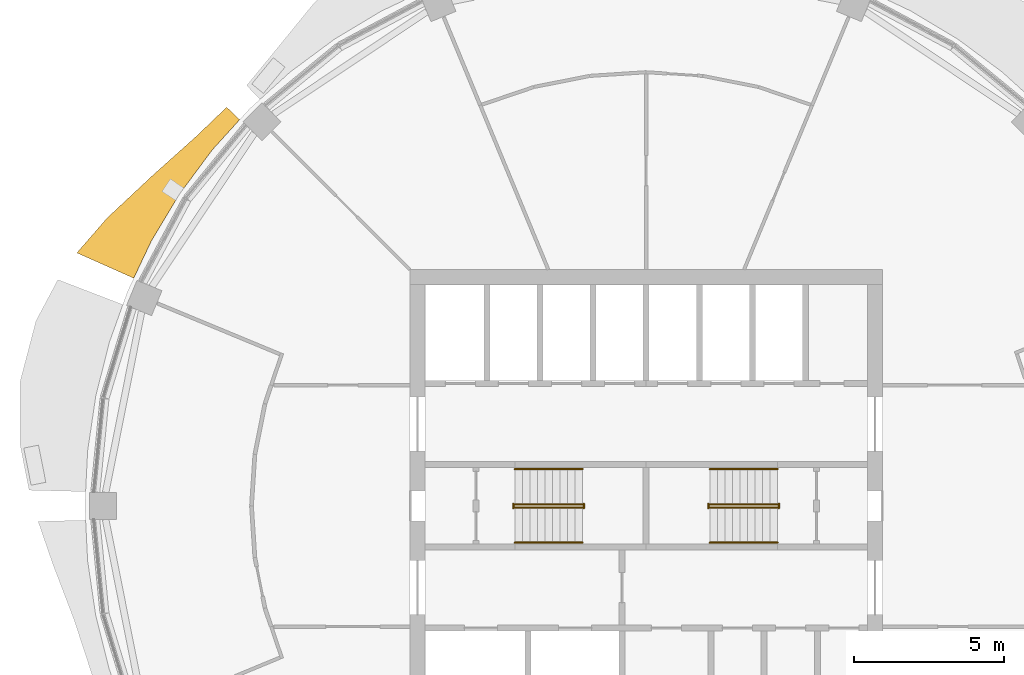
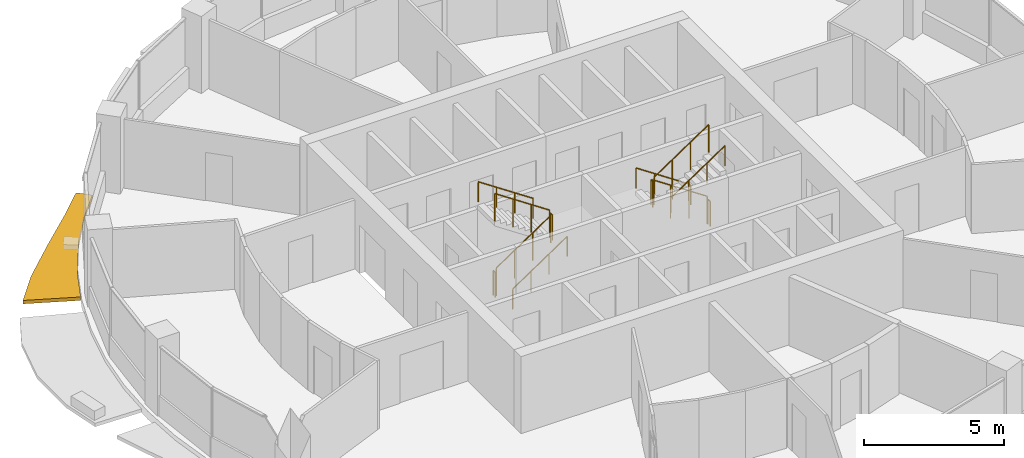
# One storey, part 13 of 15: 12 railings, 1 shading device.
"""IFC4 building model written with IfcOpenShell, lengths in metres."""

import ifcopenshell
import ifcopenshell.guid

model = None  # the IFC model being written
_history = None  # IfcOwnerHistory: only IFC2X3 demands one
_inside = {}  # id of a spatial element -> (the spatial element, [elements in it])
_under = {}  # id of a project, library or spatial element -> (it, [spatial elements below it])
_declared = {}  # id of a project -> (the project, [libraries it declares])
_typed = {}  # id of a type object -> (the type object, [elements of that type])
_made_of = {}  # id of a material, layer set ... -> (it, [elements and type objects made of it])


def new_model(schema):
    """Start an empty IFC model of exactly this schema.

    Asked for "IFC4X3", IfcOpenShell would pick the latest addendum, in which some entities
    have other attributes; the version numbers below select the first issue.
    IFC2X3 requires an IfcOwnerHistory on every rooted entity: one is made here for all.
    """
    global model, _history
    if schema == "IFC4X3":
        model = ifcopenshell.file(schema_version=(4, 3, 0, 0))
    else:
        model = ifcopenshell.file(schema=schema)
    _inside.clear()
    _under.clear()
    _declared.clear()
    _typed.clear()
    _made_of.clear()
    _history = None
    if model.schema == "IFC2X3":
        org = make("IfcOrganization", Name="unknown")
        user = make(
            "IfcPersonAndOrganization",
            ThePerson=make("IfcPerson", FamilyName="unknown"),
            TheOrganization=org,
        )
        app = make(
            "IfcApplication",
            ApplicationDeveloper=org,
            Version="unknown",
            ApplicationFullName="unknown",
            ApplicationIdentifier="unknown",
        )
        _history = make(
            "IfcOwnerHistory",
            OwningUser=user,
            OwningApplication=app,
            ChangeAction="ADDED",
            CreationDate=0,
        )
    return model


def make(cls, **values):
    """One entity of the class cls with the attributes given. An attribute that is None is left unset."""
    return model.create_entity(
        cls, **{name: value for name, value in values.items() if value is not None}
    )


def rooted(cls, **values):
    """An entity with a GlobalId (a new one), such as an element, a storey or a relation."""
    return make(cls, GlobalId=ifcopenshell.guid.new(), OwnerHistory=_history, **values)


def si_unit(unit_type, name, prefix=None):
    """IfcSIUnit, for example si_unit("LENGTHUNIT", "METRE", prefix="MILLI")."""
    return make("IfcSIUnit", UnitType=unit_type, Prefix=prefix, Name=name)


def assignment(units):
    """IfcUnitAssignment: the units of a project."""
    return None if units is None else make("IfcUnitAssignment", Units=units)


def point(xyz):
    """IfcCartesianPoint."""
    return None if xyz is None else make("IfcCartesianPoint", Coordinates=xyz)


def direction(xyz):
    """IfcDirection."""
    return None if xyz is None else make("IfcDirection", DirectionRatios=xyz)


def frame(location, z_axis=None, x_axis=None):
    """IfcAxis2Placement3D, a coordinate frame: its origin and axes. An axis left out is left unset."""
    return make(
        "IfcAxis2Placement3D",
        Location=point(location),
        Axis=direction(z_axis),
        RefDirection=direction(x_axis),
    )


def frame_2d(location, x_axis=None):
    """IfcAxis2Placement2D, a coordinate frame in the plane: its origin and x axis."""
    return make(
        "IfcAxis2Placement2D", Location=point(location), RefDirection=direction(x_axis)
    )


def origin():
    """The frame at (0, 0, 0) with its axes left unset."""
    return frame((0.0, 0.0, 0.0))


def origin_2d():
    """The frame at (0, 0) in the plane with its x axis left unset."""
    return frame_2d((0.0, 0.0))


def place(relative_to, where):
    """IfcLocalPlacement: puts the frame where relative to a parent placement (None: the world)."""
    return make(
        "IfcLocalPlacement", PlacementRelTo=relative_to, RelativePlacement=where
    )


def context(
    kind, dimensions, precision=None, world=None, true_north=None, identifier=None
):
    """IfcGeometricRepresentationContext, for example the 3D "Model" context."""
    return make(
        "IfcGeometricRepresentationContext",
        ContextIdentifier=identifier,
        ContextType=kind,
        CoordinateSpaceDimension=dimensions,
        Precision=precision,
        WorldCoordinateSystem=world,
        TrueNorth=true_north,
    )


def subcontext(parent, identifier, kind, view, scale=None):
    """IfcGeometricRepresentationSubContext, for example "Body" below "Model"."""
    return make(
        "IfcGeometricRepresentationSubContext",
        ContextIdentifier=identifier,
        ContextType=kind,
        ParentContext=parent,
        TargetScale=scale,
        TargetView=view,
    )


def project(units=None, contexts=None):
    """IfcProject with its units and contexts."""
    return rooted(
        "IfcProject",
        Name="project",
        RepresentationContexts=contexts,
        UnitsInContext=assignment(units),
    )


def spatial(cls, under=None, at=None, **own):
    """A site, building, storey or space (cls), placed at a placement, below another one or the project."""
    s = rooted(cls, ObjectPlacement=at, **own)
    if under is not None:
        _under.setdefault(under.id(), (under, []))[1].append(s)
    return s


def polyline(points):
    """IfcPolyline through the points."""
    return make("IfcPolyline", Points=[point(p) for p in points])


def profile(cls, at=None, kind="AREA", **sizes):
    """A parametric profile (cls). Its sizes go by their IFC names, for example OverallWidth=200.0."""
    return make(cls, ProfileType=kind, Position=at, **sizes)


def circle(**sizes):
    """IfcCircleProfileDef."""
    return profile("IfcCircleProfileDef", **sizes)


def outline(outer, holes=None, kind="AREA"):
    """IfcArbitraryClosedProfileDef: a profile drawn as a closed curve; with holes, ...WithVoids."""
    if holes is None:
        return make("IfcArbitraryClosedProfileDef", ProfileType=kind, OuterCurve=outer)
    return make(
        "IfcArbitraryProfileDefWithVoids",
        ProfileType=kind,
        OuterCurve=outer,
        InnerCurves=holes,
    )


def extrude(swept, where, along, depth):
    """IfcExtrudedAreaSolid: the profile swept, set in the frame where, extruded along a direction by depth."""
    return make(
        "IfcExtrudedAreaSolid",
        SweptArea=swept,
        Position=where,
        ExtrudedDirection=direction(along),
        Depth=depth,
    )


def shape(context_of_items, identifier, shape_type, items):
    """IfcShapeRepresentation: the items that make up one representation, for example the "Body"."""
    return make(
        "IfcShapeRepresentation",
        ContextOfItems=context_of_items,
        RepresentationIdentifier=identifier,
        RepresentationType=shape_type,
        Items=items,
    )


def material(Name=None, Category=None):
    """IfcMaterial."""
    return make("IfcMaterial", Name=Name, Category=Category)


def made_of(thing, what):
    """Note that an element or type object is made of a material, layer set ...; save() writes the relation."""
    if what is not None:
        _made_of.setdefault(what.id(), (what, []))[1].append(thing)
    return thing


def type_object(cls, material=None, **own):
    """A type object (cls), such as IfcWallType, which elements share."""
    return made_of(rooted(cls, **own), material)


def element(
    cls,
    number,
    at=None,
    inside=None,
    cuts=None,
    type_object=None,
    material=None,
    context=None,
    identifier="Body",
    shape_type=None,
    held_by="IfcProductDefinitionShape",
    body=None,
    shapes=None,
    **own,
):
    """One element of the class cls, such as IfcWall. Its Tag is "e" and its number.

    at: its placement. inside: the storey or other place that contains it. cuts: it is an
    opening in that element (IfcRelVoidsElement). A single representation is given by context,
    identifier, shape_type and body (its items); several are given by shapes. held_by: the class
    of the entity that holds the representations. save() writes the other relations.
    """
    e = rooted(cls, Tag="e%d" % number, ObjectPlacement=at, **own)
    if body is not None:
        shapes = [shape(context, identifier, shape_type, body)]
    if shapes is not None:
        e.Representation = make(held_by, Representations=shapes)
    if inside is not None:
        _inside.setdefault(inside.id(), (inside, []))[1].append(e)
    if cuts is not None:
        rooted(
            "IfcRelVoidsElement", RelatingBuildingElement=cuts, RelatedOpeningElement=e
        )
    if type_object is not None:
        _typed.setdefault(type_object.id(), (type_object, []))[1].append(e)
    return made_of(e, material)


def aggregate(whole, parts):
    """IfcRelAggregates: a whole, such as a stair, and the parts it consists of."""
    return rooted("IfcRelAggregates", RelatingObject=whole, RelatedObjects=parts)


def save(model, path):
    """Write the relations noted so far, then the file.

    IfcRelAggregates (storeys below a building ...), IfcRelContainedInSpatialStructure (elements
    in a storey), IfcRelDefinesByType, IfcRelAssociatesMaterial and IfcRelDeclares: one each for
    every whole, place, type object, material and project.
    """
    for whole, parts in _under.values():
        aggregate(whole, parts)
    for where, things in _inside.values():
        rooted(
            "IfcRelContainedInSpatialStructure",
            RelatedElements=things,
            RelatingStructure=where,
        )
    for kind, things in _typed.values():
        rooted("IfcRelDefinesByType", RelatedObjects=things, RelatingType=kind)
    for what, things in _made_of.values():
        rooted("IfcRelAssociatesMaterial", RelatedObjects=things, RelatingMaterial=what)
    for by, libraries in _declared.values():
        rooted("IfcRelDeclares", RelatingContext=by, RelatedDefinitions=libraries)
    model.write(path)


model = new_model("IFC4")

# Units and contexts
model_context = context("Model", 3, precision=1e-05, world=origin(), true_north=direction((0.0, 1.0)))
body_context = subcontext(model_context, "Body", "Model", "MODEL_VIEW")
ifc_project = project(units=[si_unit("LENGTHUNIT", "METRE"), si_unit("AREAUNIT", "SQUARE_METRE"), si_unit("VOLUMEUNIT", "CUBIC_METRE"), si_unit("PLANEANGLEUNIT", "RADIAN"), si_unit("MASSUNIT", "GRAM", prefix="KILO")], contexts=[model_context])

# Site, building, storey
site_placement = place(None, origin())
site = spatial("IfcSite", under=ifc_project, at=site_placement, CompositionType="ELEMENT")
building_placement = place(site_placement, origin())
building = spatial("IfcBuilding", under=site, at=building_placement, Name="Polderwave Tower", CompositionType="ELEMENT")
storey_placement = place(building_placement, frame((0.0, 0.0, 174.25)))
storey = spatial("IfcBuildingStorey", under=building, at=storey_placement, Name="L46", CompositionType="ELEMENT", Elevation=174.25)

# Railings
ifc_material_1 = material(Name="Stainless steel", Category="steel")
railing_type_1 = type_object("IfcRailingType", Name="Stair guard 1100", PredefinedType="GUARDRAIL", material=ifc_material_1)
railing_1_placement = place(storey_placement, frame((-4.3740234375, -0.051025390625, 0.04736328125)))
element("IfcRailing", 1, at=railing_1_placement, inside=storey, type_object=railing_type_1, Name="L46 ST-A stair guard 1", PredefinedType="GUARDRAIL", context=body_context, shape_type="SweptSolid", body=[
    extrude(circle(Radius=0.02392578125, at=origin_2d()), frame((0.0, 0.0, 1.1962890625), z_axis=(0.830758306289, 0.0, 0.556633305266), x_axis=(0.0, 1.0, 0.0)), (0.0, 0.0, 1.0), 2.708251953125),
    extrude(circle(Radius=0.02392578125, at=origin_2d()), origin(), (0.0, 0.0, 1.0), 1.172119140625),
    extrude(circle(Radius=0.02392578125, at=origin_2d()), frame((0.75, 0.0, 0.50244140625)), (0.0, 0.0, 1.0), 1.172119140625),
    extrude(circle(Radius=0.02392578125, at=origin_2d()), frame((1.5, 0.0, 1.005126953125)), (0.0, 0.0, 1.0), 1.172119140625),
    extrude(circle(Radius=0.02392578125, at=origin_2d()), frame((2.25, 0.0, 1.507568359375)), (0.0, 0.0, 1.0), 1.172119140625),
])
railing_2_placement = place(storey_placement, frame((-2.073974609375, -0.074951171875, 1.675048828125)))
element("IfcRailing", 2, at=railing_2_placement, inside=storey, type_object=railing_type_1, Name="L46 ST-A stair guard 2", PredefinedType="GUARDRAIL", context=body_context, shape_type="SweptSolid", body=[
    extrude(circle(Radius=0.02392578125, at=origin_2d()), frame((0.0, 0.0, 1.076171875), z_axis=(0.0, 1.0, 0.0), x_axis=(-1.0, 0.0, 0.0)), (0.0, 0.0, 1.0), 0.14990234375),
    extrude(circle(Radius=0.02099609375, at=origin_2d()), origin(), (0.0, 0.0, 1.0), 1.052001953125),
    extrude(circle(Radius=0.02099609375, at=origin_2d()), frame((0.0, 0.14990234375, 0.0)), (0.0, 0.0, 1.0), 1.052001953125),
])
railing_3_placement = place(storey_placement, frame((-2.1240234375, 0.051025390625, 1.722412109375)))
element("IfcRailing", 3, at=railing_3_placement, inside=storey, type_object=railing_type_1, Name="L46 ST-A stair guard 3", PredefinedType="GUARDRAIL", context=body_context, shape_type="SweptSolid", body=[
    extrude(circle(Radius=0.02392578125, at=origin_2d()), frame((0.0, 0.0, 1.1962890625), z_axis=(-0.830758306289, 0.0, 0.556633305266), x_axis=(0.0, -1.0, 0.0)), (0.0, 0.0, 1.0), 2.708251953125),
    extrude(circle(Radius=0.02392578125, at=origin_2d()), origin(), (0.0, 0.0, 1.0), 1.172119140625),
    extrude(circle(Radius=0.02392578125, at=origin_2d()), frame((-0.75, 0.0, 0.50244140625)), (0.0, 0.0, 1.0), 1.172119140625),
    extrude(circle(Radius=0.02392578125, at=origin_2d()), frame((-1.5, 0.0, 1.005126953125)), (0.0, 0.0, 1.0), 1.172119140625),
    extrude(circle(Radius=0.02392578125, at=origin_2d()), frame((-2.25, 0.0, 1.507568359375)), (0.0, 0.0, 1.0), 1.172119140625),
])
railing_4_placement = place(storey_placement, frame((-4.424072265625, -0.074951171875, 0.0)))
element("IfcRailing", 4, at=railing_4_placement, inside=storey, type_object=railing_type_1, Name="L46 ST-A stair guard 4", PredefinedType="GUARDRAIL", context=body_context, shape_type="SweptSolid", body=[
    extrude(circle(Radius=0.02392578125, at=origin_2d()), frame((0.0, 0.0, 1.076171875), z_axis=(0.0, 1.0, 0.0), x_axis=(-1.0, 0.0, 0.0)), (0.0, 0.0, 1.0), 0.14990234375),
    extrude(circle(Radius=0.02099609375, at=origin_2d()), origin(), (0.0, 0.0, 1.0), 1.052001953125),
    extrude(circle(Radius=0.02099609375, at=origin_2d()), frame((0.0, 0.14990234375, 0.0)), (0.0, 0.0, 1.0), 1.052001953125),
])
railing_5_placement = place(storey_placement, frame((4.3740234375, 0.051025390625, 0.04736328125)))
element("IfcRailing", 5, at=railing_5_placement, inside=storey, type_object=railing_type_1, Name="L46 ST-B stair guard 1", PredefinedType="GUARDRAIL", context=body_context, shape_type="SweptSolid", body=[
    extrude(circle(Radius=0.02392578125, at=origin_2d()), frame((0.0, 0.0, 1.1962890625), z_axis=(-0.830758306289, 0.0, 0.556633305266), x_axis=(0.0, -1.0, 0.0)), (0.0, 0.0, 1.0), 2.708251953125),
    extrude(circle(Radius=0.02392578125, at=origin_2d()), origin(), (0.0, 0.0, 1.0), 1.172119140625),
    extrude(circle(Radius=0.02392578125, at=origin_2d()), frame((-0.75, 0.0, 0.50244140625)), (0.0, 0.0, 1.0), 1.172119140625),
    extrude(circle(Radius=0.02392578125, at=origin_2d()), frame((-1.5, 0.0, 1.005126953125)), (0.0, 0.0, 1.0), 1.172119140625),
    extrude(circle(Radius=0.02392578125, at=origin_2d()), frame((-2.25, 0.0, 1.507568359375)), (0.0, 0.0, 1.0), 1.172119140625),
])
railing_6_placement = place(storey_placement, frame((2.073974609375, 0.074951171875, 1.675048828125)))
element("IfcRailing", 6, at=railing_6_placement, inside=storey, type_object=railing_type_1, Name="L46 ST-B stair guard 2", PredefinedType="GUARDRAIL", context=body_context, shape_type="SweptSolid", body=[
    extrude(circle(Radius=0.02392578125, at=origin_2d()), frame((0.0, 0.0, 1.076171875), z_axis=(0.0, -1.0, 0.0), x_axis=(1.0, 0.0, 0.0)), (0.0, 0.0, 1.0), 0.14990234375),
    extrude(circle(Radius=0.02099609375, at=origin_2d()), origin(), (0.0, 0.0, 1.0), 1.052001953125),
    extrude(circle(Radius=0.02099609375, at=origin_2d()), frame((0.0, -0.14990234375, 0.0)), (0.0, 0.0, 1.0), 1.052001953125),
])
railing_7_placement = place(storey_placement, frame((2.1240234375, -0.051025390625, 1.722412109375)))
element("IfcRailing", 7, at=railing_7_placement, inside=storey, type_object=railing_type_1, Name="L46 ST-B stair guard 3", PredefinedType="GUARDRAIL", context=body_context, shape_type="SweptSolid", body=[
    extrude(circle(Radius=0.02392578125, at=origin_2d()), frame((0.0, 0.0, 1.1962890625), z_axis=(0.830758306289, 0.0, 0.556633305266), x_axis=(0.0, 1.0, 0.0)), (0.0, 0.0, 1.0), 2.708251953125),
    extrude(circle(Radius=0.02392578125, at=origin_2d()), origin(), (0.0, 0.0, 1.0), 1.172119140625),
    extrude(circle(Radius=0.02392578125, at=origin_2d()), frame((0.75, 0.0, 0.50244140625)), (0.0, 0.0, 1.0), 1.172119140625),
    extrude(circle(Radius=0.02392578125, at=origin_2d()), frame((1.5, 0.0, 1.005126953125)), (0.0, 0.0, 1.0), 1.172119140625),
    extrude(circle(Radius=0.02392578125, at=origin_2d()), frame((2.25, 0.0, 1.507568359375)), (0.0, 0.0, 1.0), 1.172119140625),
])
railing_8_placement = place(storey_placement, frame((4.424072265625, 0.074951171875, 0.0)))
element("IfcRailing", 8, at=railing_8_placement, inside=storey, type_object=railing_type_1, Name="L46 ST-B stair guard 4", PredefinedType="GUARDRAIL", context=body_context, shape_type="SweptSolid", body=[
    extrude(circle(Radius=0.02392578125, at=origin_2d()), frame((0.0, 0.0, 1.076171875), z_axis=(0.0, -1.0, 0.0), x_axis=(1.0, 0.0, 0.0)), (0.0, 0.0, 1.0), 0.14990234375),
    extrude(circle(Radius=0.02099609375, at=origin_2d()), origin(), (0.0, 0.0, 1.0), 1.052001953125),
    extrude(circle(Radius=0.02099609375, at=origin_2d()), frame((0.0, -0.14990234375, 0.0)), (0.0, 0.0, 1.0), 1.052001953125),
])
railing_type_2 = type_object("IfcRailingType", Name="Stair handrail 900", PredefinedType="HANDRAIL", material=ifc_material_1)
railing_9_placement = place(storey_placement, frame((-4.3740234375, -1.22509765625, 0.16748046875)))
element("IfcRailing", 9, at=railing_9_placement, inside=storey, type_object=railing_type_2, Name="L46 ST-A stair handrail 1", PredefinedType="HANDRAIL", context=body_context, shape_type="SweptSolid", body=[
    extrude(circle(Radius=0.02392578125, at=origin_2d()), frame((0.0, 0.0, 0.8759765625), z_axis=(0.830758306289, 0.0, 0.556633305266), x_axis=(0.0, 1.0, 0.0)), (0.0, 0.0, 1.0), 2.708251953125),
    extrude(circle(Radius=0.02099609375, at=origin_2d()), origin(), (0.0, 0.0, 1.0), 0.851806640625),
    extrude(circle(Radius=0.02099609375, at=origin_2d()), frame((0.75, 0.0, 0.50244140625)), (0.0, 0.0, 1.0), 0.851806640625),
    extrude(circle(Radius=0.02099609375, at=origin_2d()), frame((1.5, 0.0, 1.005126953125)), (0.0, 0.0, 1.0), 0.851806640625),
    extrude(circle(Radius=0.02099609375, at=origin_2d()), frame((2.25, 0.0, 1.507568359375)), (0.0, 0.0, 1.0), 0.851806640625),
])
for number, where, name in (
    (10, (-2.1240234375, 1.22509765625, 1.842529296875), "L46 ST-A stair handrail 2"),
    (11, (4.3740234375, 1.22509765625, 0.16748046875), "L46 ST-B stair handrail 1"),
):
    element("IfcRailing", number, at=place(storey_placement, frame(where)), inside=storey, type_object=railing_type_2, Name=name, PredefinedType="HANDRAIL", context=body_context, shape_type="SweptSolid", body=[
        extrude(circle(Radius=0.02392578125, at=origin_2d()), frame((0.0, 0.0, 0.8759765625), z_axis=(-0.830758306289, 0.0, 0.556633305266), x_axis=(0.0, -1.0, 0.0)), (0.0, 0.0, 1.0), 2.708251953125),
        extrude(circle(Radius=0.02099609375, at=origin_2d()), origin(), (0.0, 0.0, 1.0), 0.851806640625),
        extrude(circle(Radius=0.02099609375, at=origin_2d()), frame((-0.75, 0.0, 0.50244140625)), (0.0, 0.0, 1.0), 0.851806640625),
        extrude(circle(Radius=0.02099609375, at=origin_2d()), frame((-1.5, 0.0, 1.005126953125)), (0.0, 0.0, 1.0), 0.851806640625),
        extrude(circle(Radius=0.02099609375, at=origin_2d()), frame((-2.25, 0.0, 1.507568359375)), (0.0, 0.0, 1.0), 0.851806640625),
    ])
railing_10_placement = place(storey_placement, frame((2.1240234375, -1.22509765625, 1.842529296875)))
element("IfcRailing", 12, at=railing_10_placement, inside=storey, type_object=railing_type_2, Name="L46 ST-B stair handrail 2", PredefinedType="HANDRAIL", context=body_context, shape_type="SweptSolid", body=[
    extrude(circle(Radius=0.02392578125, at=origin_2d()), frame((0.0, 0.0, 0.8759765625), z_axis=(0.830758306289, 0.0, 0.556633305266), x_axis=(0.0, 1.0, 0.0)), (0.0, 0.0, 1.0), 2.708251953125),
    extrude(circle(Radius=0.02099609375, at=origin_2d()), origin(), (0.0, 0.0, 1.0), 0.851806640625),
    extrude(circle(Radius=0.02099609375, at=origin_2d()), frame((0.75, 0.0, 0.50244140625)), (0.0, 0.0, 1.0), 0.851806640625),
    extrude(circle(Radius=0.02099609375, at=origin_2d()), frame((1.5, 0.0, 1.005126953125)), (0.0, 0.0, 1.0), 0.851806640625),
    extrude(circle(Radius=0.02099609375, at=origin_2d()), frame((2.25, 0.0, 1.507568359375)), (0.0, 0.0, 1.0), 0.851806640625),
])

# Shading device
ifc_material_2 = material(Name="Terracotta", Category="masonry")
shading_device_type = type_object("IfcShadingDeviceType", Name="Terracotta sunshade band", PredefinedType="USERDEFINED", material=ifc_material_2)
shading_device_placement = place(storey_placement, frame((0.0, 0.0, -0.35009765625)))
element("IfcShadingDevice", 13, at=shading_device_placement, inside=storey, type_object=shading_device_type, Name="Sunshade band L46 7", ObjectType="SUNSHADE", PredefinedType="USERDEFINED", context=body_context, shape_type="SweptSolid", body=[
    extrude(outline(polyline([(-13.543212890625, 12.86962890625), (-14.455322265625, 11.86328125), (-15.548583984375, 10.38916015625), (-16.491943359375, 8.815185546875), (-17.07275390625, 7.587158203125), (-18.969482421875, 8.43017578125), (-17.95556640625, 9.597412109375), (-16.458984375, 10.99755859375), (-14.996826171875, 12.3076171875), (-13.97802734375, 13.283203125), (-13.543212890625, 12.86962890625)])), origin(), (0.0, 0.0, 1.0), 0.150146484375),
])

save(model, "model.ifc")
